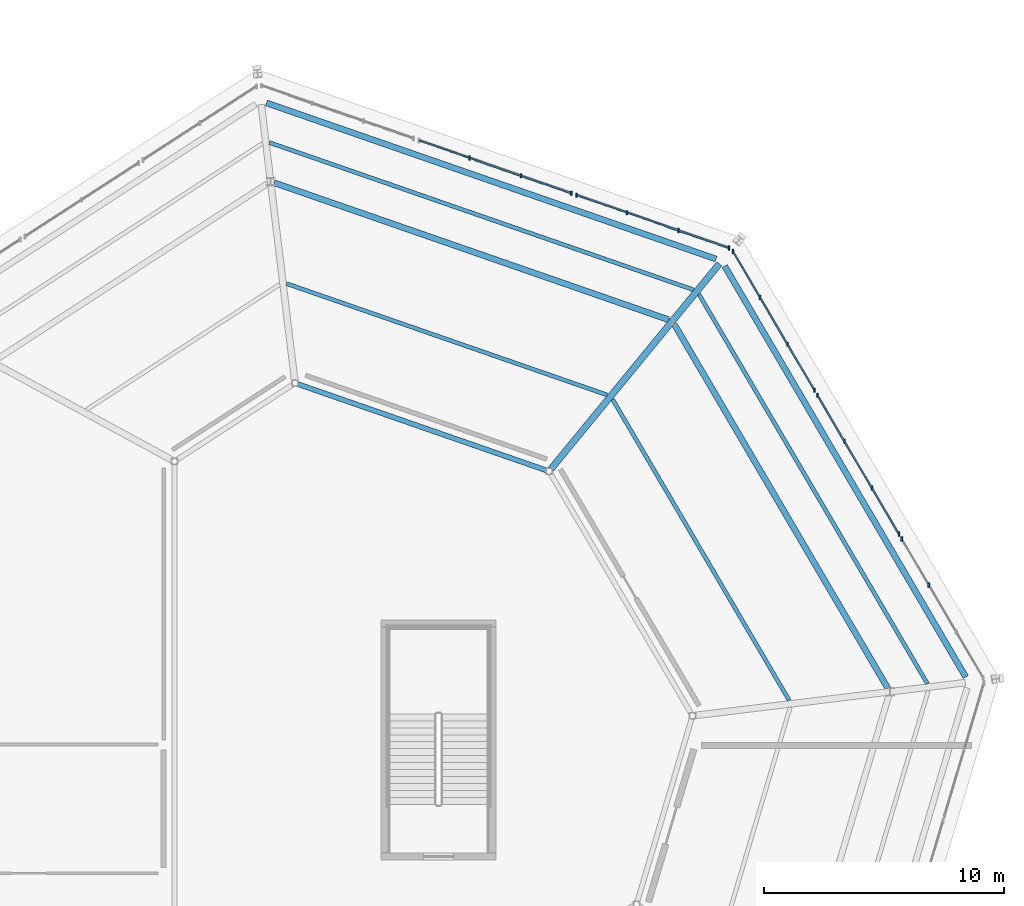
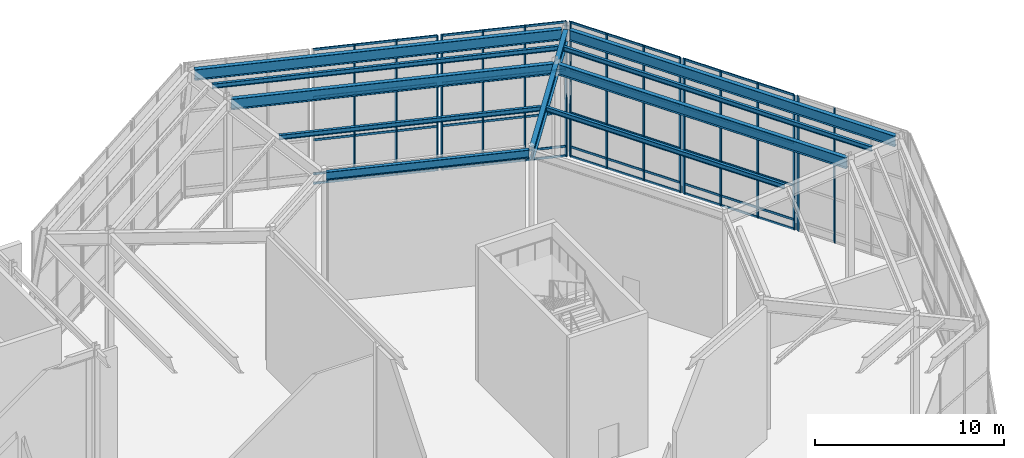
# One storey, part 24 of 48: 37 members, 10 beams, 5 elements without a shape of their own.
"""IFC4 building model written with IfcOpenShell, lengths in metres."""

from ifc_helpers import new_model, si_unit, direction, frame, origin, origin_2d, place, context, subcontext, project, spatial, rectangle, i_section, extrude, material, material_profile, profile_set, type_object, element, aggregate, save


model = new_model("IFC4")

# Units and contexts
model_context = context("Model", 3, precision=1e-05, world=origin(), true_north=direction((0.0, 1.0)))
body_context = subcontext(model_context, "Body", "Model", "MODEL_VIEW")
ifc_project = project(units=[si_unit("LENGTHUNIT", "METRE"), si_unit("AREAUNIT", "SQUARE_METRE"), si_unit("VOLUMEUNIT", "CUBIC_METRE"), si_unit("PLANEANGLEUNIT", "RADIAN"), si_unit("MASSUNIT", "GRAM", prefix="KILO")], contexts=[model_context])

# Site, building, storey
site_placement = place(None, origin())
site = spatial("IfcSite", under=ifc_project, at=site_placement, CompositionType="ELEMENT")
building_placement = place(site_placement, origin())
building = spatial("IfcBuilding", under=site, at=building_placement, Name="Sarnbrook Museum", CompositionType="ELEMENT")
storey_placement = place(building_placement, frame((0.0, 0.0, 19.10009765625)))
storey = spatial("IfcBuildingStorey", under=building, at=storey_placement, Name="L04", CompositionType="ELEMENT", Elevation=19.10009765625)

# Beams
ifc_material_1 = material(Name="Structural Steel Grade 300PLUS (AS/NZS 3679.1, fy = 280 MPa for 17 < t <= 40 mm, 300 MPa for t <= 17 mm)", Category="steel")
ifc_material_profile_1 = material_profile(ifc_material_1, i_section(OverallWidth=0.208984375, OverallDepth=0.532958984375, WebThickness=0.01025390625, FlangeThickness=0.015625, FilletRadius=0.013916015625, at=origin_2d()), Name="530UB92.4")
ifc_profile_set_1 = profile_set([ifc_material_profile_1], Name="Structural Steel Grade 300PLUS (AS/NZS 3679.1, fy = 280 MPa for 17 < t <= 40 mm, 300 MPa for t <= 17 mm)")
beam_type_1 = type_object("IfcBeamType", Name="BM-UB530", PredefinedType="BEAM", material=ifc_profile_set_1)
beam_1_placement = place(storey_placement, frame((148.292236328125, 96.435302734375, 8.473388671875), z_axis=(-0.944674814318, 0.328008376711, 0.0), x_axis=(-0.328008376711, -0.944674814318, 0.0)))
element("IfcBeam", 1, at=beam_1_placement, inside=storey, type_object=beam_type_1, Name="Crystal Hall R2 Ring Girder 5 L04", PredefinedType="BEAM", context=body_context, shape_type="SweptSolid", body=[
    extrude(i_section(OverallWidth=0.208984375, OverallDepth=0.532958984375, WebThickness=0.01025390625, FlangeThickness=0.015625, FilletRadius=0.013916015625, at=origin_2d()), origin(), (0.0, 0.0, 1.0), 10.962890625),
])
ifc_material_2 = material(Name="Structural Steel Grade 350L0 (AS/NZS 3678, fy = 340 MPa for 20 < t <= 40 mm)", Category="steel")
ifc_material_profile_2 = material_profile(ifc_material_2, i_section(OverallWidth=0.25, OverallDepth=0.699951171875, WebThickness=0.010009765625, FlangeThickness=0.01611328125, at=origin_2d()), Name="700WB130")
ifc_profile_set_2 = profile_set([ifc_material_profile_2], Name="Structural Steel Grade 350L0 (AS/NZS 3678, fy = 340 MPa for 20 < t <= 40 mm)")
beam_type_2 = type_object("IfcBeamType", Name="BM-WB700", PredefinedType="BEAM", material=ifc_profile_set_2)
beam_2_placement = place(storey_placement, frame((165.767822265625, 87.82568359375, 8.389892578125), z_axis=(-0.506057560474, 0.862499707529, 0.0), x_axis=(-0.862499707529, -0.506057560474, 0.0)))
element("IfcBeam", 2, at=beam_2_placement, inside=storey, type_object=beam_type_2, Name="Crystal Hall Perimeter Ring Girder 4 L04", PredefinedType="BEAM", context=body_context, shape_type="SweptSolid", body=[
    extrude(i_section(OverallWidth=0.25, OverallDepth=0.699951171875, WebThickness=0.010009765625, FlangeThickness=0.01611328125, at=origin_2d()), origin(), (0.0, 0.0, 1.0), 19.847412109375),
])
beam_3_placement = place(storey_placement, frame((162.52587890625, 87.348388671875, 8.389892578125), z_axis=(-0.506057154474, 0.862499945743, 0.0), x_axis=(-0.862499945743, -0.506057154474, 0.0)))
element("IfcBeam", 3, at=beam_3_placement, inside=storey, type_object=beam_type_2, Name="Crystal Hall R1 Ring Girder 4 L04", PredefinedType="BEAM", context=body_context, shape_type="SweptSolid", body=[
    extrude(i_section(OverallWidth=0.25, OverallDepth=0.699951171875, WebThickness=0.010009765625, FlangeThickness=0.01611328125, at=origin_2d()), origin(), (0.0, 0.0, 1.0), 17.589111328125),
])
beam_4_placement = place(storey_placement, frame((155.361083984375, 105.24169921875, 8.389892578125), z_axis=(-0.944675254199, 0.328007109837, 0.0), x_axis=(-0.328007109837, -0.944675254199, 0.0)))
element("IfcBeam", 4, at=beam_4_placement, inside=storey, type_object=beam_type_2, Name="Crystal Hall Perimeter Ring Girder 5 L04", PredefinedType="BEAM", context=body_context, shape_type="SweptSolid", body=[
    extrude(i_section(OverallWidth=0.25, OverallDepth=0.699951171875, WebThickness=0.010009765625, FlangeThickness=0.01611328125, at=origin_2d()), origin(), (0.0, 0.0, 1.0), 19.824951171875),
])
beam_5_placement = place(storey_placement, frame((153.392578125, 102.70947265625, 8.389892578125), z_axis=(-0.944672698081, 0.328014471479, 0.0), x_axis=(-0.328014471479, -0.944672698081, 0.0)))
element("IfcBeam", 5, at=beam_5_placement, inside=storey, type_object=beam_type_2, Name="Crystal Hall R1 Ring Girder 5 L04", PredefinedType="BEAM", context=body_context, shape_type="SweptSolid", body=[
    extrude(i_section(OverallWidth=0.25, OverallDepth=0.699951171875, WebThickness=0.010009765625, FlangeThickness=0.01611328125, at=origin_2d()), origin(), (0.0, 0.0, 1.0), 17.400146484375),
])
ifc_material_profile_3 = material_profile(ifc_material_2, i_section(OverallWidth=0.27490234375, OverallDepth=0.800048828125, WebThickness=0.010009765625, FlangeThickness=0.01611328125, at=origin_2d()), Name="800WB146")
ifc_profile_set_3 = profile_set([ifc_material_profile_3], Name="Structural Steel Grade 350L0 (AS/NZS 3678, fy = 340 MPa for 20 < t <= 40 mm)")
beam_type_3 = type_object("IfcBeamType", Name="CR-CANT", PredefinedType="BEAM", material=ifc_profile_set_3)
beam_6_placement = place(storey_placement, frame((148.481689453125, 96.48876953125, 8.33984375), z_axis=(0.634374756264, 0.773025658445, 0.0), x_axis=(-0.773025658445, 0.634374756264, 0.0)))
element("IfcBeam", 6, at=beam_6_placement, inside=storey, type_object=beam_type_3, Name="Crystal Hall Radial Cantilever Girder 5 L04", PredefinedType="BEAM", context=body_context, shape_type="SweptSolid", body=[
    extrude(i_section(OverallWidth=0.27490234375, OverallDepth=0.800048828125, WebThickness=0.010009765625, FlangeThickness=0.01611328125, at=origin_2d()), origin(), (0.0, 0.0, 1.0), 11.06689453125),
])

# Curtain wall, members
ifc_material_3 = material(Name="Thermally Broken Anodised Aluminium 6063-T6", Category="aluminium")
curtain_wall_type = type_object("IfcCurtainWallType", Name="CurtainWall_CrystalFacet", PredefinedType="NOTDEFINED", material=ifc_material_3)
curtain_wall_1_placement = place(storey_placement, origin())
curtain_wall_1 = element("IfcCurtainWall", 7, at=curtain_wall_1_placement, inside=storey, type_object=curtain_wall_type, Name="Crystal Hall Facet Curtain Wall L04-F4.1", PredefinedType="NOTDEFINED")
ifc_material_profile_4 = material_profile(ifc_material_3, rectangle(XDim=0.06494140625, YDim=0.179931640625, at=origin_2d()), Name="ALU MULLION 65x180")
ifc_profile_set_4 = profile_set([ifc_material_profile_4], Name="Thermally Broken Anodised Aluminium 6063-T6")
member_type_1 = type_object("IfcMemberType", Name="CW_Mullion_180x75", PredefinedType="MULLION", material=ifc_profile_set_4)
member_1_placement = place(storey_placement, frame((164.224365234375, 91.6611328125, 0.0), z_axis=(0.0, 0.0, 1.0), x_axis=(1.0, 0.0, 0.0)))
member_1 = element("IfcMember", 8, at=member_1_placement, type_object=member_type_1, Name="Crystal Hall Facet Curtain Wall L04-F4.1 Mullion 3", PredefinedType="MULLION", context=body_context, shape_type="SweptSolid", body=[
    extrude(rectangle(XDim=0.06494140625, YDim=0.179931640625, at=origin_2d()), origin(), (0.0, 0.0, 1.0), 8.739990234375),
])
member_2_placement = place(storey_placement, frame((163.099853515625, 93.577392578125, 0.0), z_axis=(0.0, 0.0, 1.0), x_axis=(1.0, 0.0, 0.0)))
member_2 = element("IfcMember", 9, at=member_2_placement, type_object=member_type_1, Name="Crystal Hall Facet Curtain Wall L04-F4.1 Mullion 4", PredefinedType="MULLION", context=body_context, shape_type="SweptSolid", body=[
    extrude(rectangle(XDim=0.06494140625, YDim=0.179931640625, at=origin_2d()), origin(), (0.0, 0.0, 1.0), 8.739990234375),
])
aggregate(curtain_wall_1, [member_1, member_2])

curtain_wall_2_placement = place(storey_placement, origin())
curtain_wall_2 = element("IfcCurtainWall", 10, at=curtain_wall_2_placement, inside=storey, type_object=curtain_wall_type, Name="Crystal Hall Facet Curtain Wall L04-F4.2", PredefinedType="NOTDEFINED")
member_3_placement = place(storey_placement, frame((162.978515625, 93.784423828125, 0.0), z_axis=(0.0, 0.0, 1.0), x_axis=(1.0, 0.0, 0.0)))
member_3 = element("IfcMember", 11, at=member_3_placement, type_object=member_type_1, Name="Crystal Hall Facet Curtain Wall L04-F4.2 Mullion 1", PredefinedType="MULLION", context=body_context, shape_type="SweptSolid", body=[
    extrude(rectangle(XDim=0.06494140625, YDim=0.179931640625, at=origin_2d()), origin(), (0.0, 0.0, 1.0), 8.739990234375),
])
member_4_placement = place(storey_placement, frame((161.85400390625, 95.70068359375, 0.0), z_axis=(0.0, 0.0, 1.0), x_axis=(1.0, 0.0, 0.0)))
member_4 = element("IfcMember", 12, at=member_4_placement, type_object=member_type_1, Name="Crystal Hall Facet Curtain Wall L04-F4.2 Mullion 2", PredefinedType="MULLION", context=body_context, shape_type="SweptSolid", body=[
    extrude(rectangle(XDim=0.06494140625, YDim=0.179931640625, at=origin_2d()), origin(), (0.0, 0.0, 1.0), 8.739990234375),
])
member_5_placement = place(storey_placement, frame((160.70947265625, 97.651611328125, 0.0), z_axis=(0.0, 0.0, 1.0), x_axis=(1.0, 0.0, 0.0)))
member_5 = element("IfcMember", 13, at=member_5_placement, type_object=member_type_1, Name="Crystal Hall Facet Curtain Wall L04-F4.2 Mullion 3", PredefinedType="MULLION", context=body_context, shape_type="SweptSolid", body=[
    extrude(rectangle(XDim=0.06494140625, YDim=0.179931640625, at=origin_2d()), origin(), (0.0, 0.0, 1.0), 8.739990234375),
])
member_6_placement = place(storey_placement, frame((159.585205078125, 99.56787109375, 0.0), z_axis=(0.0, 0.0, 1.0), x_axis=(1.0, 0.0, 0.0)))
member_6 = element("IfcMember", 14, at=member_6_placement, type_object=member_type_1, Name="Crystal Hall Facet Curtain Wall L04-F4.2 Mullion 4", PredefinedType="MULLION", context=body_context, shape_type="SweptSolid", body=[
    extrude(rectangle(XDim=0.06494140625, YDim=0.179931640625, at=origin_2d()), origin(), (0.0, 0.0, 1.0), 8.739990234375),
])

curtain_wall_3_placement = place(storey_placement, origin())
curtain_wall_3 = element("IfcCurtainWall", 15, at=curtain_wall_3_placement, inside=storey, type_object=curtain_wall_type, Name="Crystal Hall Facet Curtain Wall L04-F4.3", PredefinedType="NOTDEFINED")
member_7_placement = place(storey_placement, frame((159.463623046875, 99.77490234375, 0.0), z_axis=(0.0, 0.0, 1.0), x_axis=(1.0, 0.0, 0.0)))
member_7 = element("IfcMember", 16, at=member_7_placement, type_object=member_type_1, Name="Crystal Hall Facet Curtain Wall L04-F4.3 Mullion 1", PredefinedType="MULLION", context=body_context, shape_type="SweptSolid", body=[
    extrude(rectangle(XDim=0.06494140625, YDim=0.179931640625, at=origin_2d()), origin(), (0.0, 0.0, 1.0), 8.739990234375),
])
member_8_placement = place(storey_placement, frame((158.339111328125, 101.691162109375, 0.0), z_axis=(0.0, 0.0, 1.0), x_axis=(1.0, 0.0, 0.0)))
member_8 = element("IfcMember", 17, at=member_8_placement, type_object=member_type_1, Name="Crystal Hall Facet Curtain Wall L04-F4.3 Mullion 2", PredefinedType="MULLION", context=body_context, shape_type="SweptSolid", body=[
    extrude(rectangle(XDim=0.06494140625, YDim=0.179931640625, at=origin_2d()), origin(), (0.0, 0.0, 1.0), 8.739990234375),
])
member_9_placement = place(storey_placement, frame((157.194580078125, 103.64208984375, 0.0), z_axis=(0.0, 0.0, 1.0), x_axis=(1.0, 0.0, 0.0)))
member_9 = element("IfcMember", 18, at=member_9_placement, type_object=member_type_1, Name="Crystal Hall Facet Curtain Wall L04-F4.3 Mullion 3", PredefinedType="MULLION", context=body_context, shape_type="SweptSolid", body=[
    extrude(rectangle(XDim=0.06494140625, YDim=0.179931640625, at=origin_2d()), origin(), (0.0, 0.0, 1.0), 8.739990234375),
])
member_10_placement = place(storey_placement, frame((156.0703125, 105.558349609375, 0.0), z_axis=(0.0, 0.0, 1.0), x_axis=(1.0, 0.0, 0.0)))
member_10 = element("IfcMember", 19, at=member_10_placement, type_object=member_type_1, Name="Crystal Hall Facet Curtain Wall L04-F4.3 Mullion 4", PredefinedType="MULLION", context=body_context, shape_type="SweptSolid", body=[
    extrude(rectangle(XDim=0.06494140625, YDim=0.179931640625, at=origin_2d()), origin(), (0.0, 0.0, 1.0), 8.739990234375),
])

curtain_wall_4_placement = place(storey_placement, origin())
curtain_wall_4 = element("IfcCurtainWall", 20, at=curtain_wall_4_placement, inside=storey, type_object=curtain_wall_type, Name="Crystal Hall Facet Curtain Wall L04-F5.1", PredefinedType="NOTDEFINED")
member_11_placement = place(storey_placement, frame((155.89599609375, 105.701416015625, 0.0), z_axis=(0.0, 0.0, 1.0), x_axis=(1.0, 0.0, 0.0)))
member_11 = element("IfcMember", 21, at=member_11_placement, type_object=member_type_1, Name="Crystal Hall Facet Curtain Wall L04-F5.1 Mullion 1", PredefinedType="MULLION", context=body_context, shape_type="SweptSolid", body=[
    extrude(rectangle(XDim=0.06494140625, YDim=0.179931640625, at=origin_2d()), origin(), (0.0, 0.0, 1.0), 8.739990234375),
])
member_12_placement = place(storey_placement, frame((153.796142578125, 106.430419921875, 0.0), z_axis=(0.0, 0.0, 1.0), x_axis=(1.0, 0.0, 0.0)))
member_12 = element("IfcMember", 22, at=member_12_placement, type_object=member_type_1, Name="Crystal Hall Facet Curtain Wall L04-F5.1 Mullion 2", PredefinedType="MULLION", context=body_context, shape_type="SweptSolid", body=[
    extrude(rectangle(XDim=0.06494140625, YDim=0.179931640625, at=origin_2d()), origin(), (0.0, 0.0, 1.0), 8.739990234375),
])
member_13_placement = place(storey_placement, frame((151.658203125, 107.1728515625, 0.0), z_axis=(0.0, 0.0, 1.0), x_axis=(1.0, 0.0, 0.0)))
member_13 = element("IfcMember", 23, at=member_13_placement, type_object=member_type_1, Name="Crystal Hall Facet Curtain Wall L04-F5.1 Mullion 3", PredefinedType="MULLION", context=body_context, shape_type="SweptSolid", body=[
    extrude(rectangle(XDim=0.06494140625, YDim=0.179931640625, at=origin_2d()), origin(), (0.0, 0.0, 1.0), 8.739990234375),
])
member_14_placement = place(storey_placement, frame((149.55810546875, 107.902099609375, 0.0), z_axis=(0.0, 0.0, 1.0), x_axis=(1.0, 0.0, 0.0)))
member_14 = element("IfcMember", 24, at=member_14_placement, type_object=member_type_1, Name="Crystal Hall Facet Curtain Wall L04-F5.1 Mullion 4", PredefinedType="MULLION", context=body_context, shape_type="SweptSolid", body=[
    extrude(rectangle(XDim=0.06494140625, YDim=0.179931640625, at=origin_2d()), origin(), (0.0, 0.0, 1.0), 8.739990234375),
])

curtain_wall_5_placement = place(storey_placement, origin())
curtain_wall_5 = element("IfcCurtainWall", 25, at=curtain_wall_5_placement, inside=storey, type_object=curtain_wall_type, Name="Crystal Hall Facet Curtain Wall L04-F5.2", PredefinedType="NOTDEFINED")
member_15_placement = place(storey_placement, frame((149.331298828125, 107.980712890625, 0.0), z_axis=(0.0, 0.0, 1.0), x_axis=(1.0, 0.0, 0.0)))
member_15 = element("IfcMember", 26, at=member_15_placement, type_object=member_type_1, Name="Crystal Hall Facet Curtain Wall L04-F5.2 Mullion 1", PredefinedType="MULLION", context=body_context, shape_type="SweptSolid", body=[
    extrude(rectangle(XDim=0.06494140625, YDim=0.179931640625, at=origin_2d()), origin(), (0.0, 0.0, 1.0), 8.739990234375),
])
member_16_placement = place(storey_placement, frame((147.231201171875, 108.7099609375, 0.0), z_axis=(0.0, 0.0, 1.0), x_axis=(1.0, 0.0, 0.0)))
member_16 = element("IfcMember", 27, at=member_16_placement, type_object=member_type_1, Name="Crystal Hall Facet Curtain Wall L04-F5.2 Mullion 2", PredefinedType="MULLION", context=body_context, shape_type="SweptSolid", body=[
    extrude(rectangle(XDim=0.06494140625, YDim=0.179931640625, at=origin_2d()), origin(), (0.0, 0.0, 1.0), 8.739990234375),
])
member_17_placement = place(storey_placement, frame((145.093505859375, 109.4521484375, 0.0), z_axis=(0.0, 0.0, 1.0), x_axis=(1.0, 0.0, 0.0)))
member_17 = element("IfcMember", 28, at=member_17_placement, type_object=member_type_1, Name="Crystal Hall Facet Curtain Wall L04-F5.2 Mullion 3", PredefinedType="MULLION", context=body_context, shape_type="SweptSolid", body=[
    extrude(rectangle(XDim=0.06494140625, YDim=0.179931640625, at=origin_2d()), origin(), (0.0, 0.0, 1.0), 8.739990234375),
])

# Member
ifc_material_profile_5 = material_profile(ifc_material_3, rectangle(XDim=0.06494140625, YDim=0.139892578125, at=origin_2d()), Name="ALU TRANSOM 65x140")
ifc_profile_set_5 = profile_set([ifc_material_profile_5], Name="Thermally Broken Anodised Aluminium 6063-T6")
member_type_2 = type_object("IfcMemberType", Name="CW_Transom_150x65", PredefinedType="USERDEFINED", material=ifc_profile_set_5)
member_18_placement = place(storey_placement, frame((162.973388671875, 93.79296875, 0.039794921875), z_axis=(-0.5060559046, 0.862500679084, 0.0), x_axis=(-0.862500679084, -0.5060559046, 0.0)))
member_18 = element("IfcMember", 29, at=member_18_placement, type_object=member_type_2, Name="Crystal Hall Facet Curtain Wall L04-F4.2 Transom 1", ObjectType="TRANSOM", PredefinedType="USERDEFINED", context=body_context, shape_type="SweptSolid", body=[
    extrude(rectangle(XDim=0.06494140625, YDim=0.139892578125, at=origin_2d()), origin(), (0.0, 0.0, 1.0), 6.685546875),
])

member_19_placement = place(storey_placement, frame((162.973388671875, 93.79296875, 0.64990234375), z_axis=(-0.5060559046, 0.862500679084, 0.0), x_axis=(-0.862500679084, -0.5060559046, 0.0)))
member_19 = element("IfcMember", 30, at=member_19_placement, type_object=member_type_2, Name="Crystal Hall Facet Curtain Wall L04-F4.2 Transom 2", ObjectType="TRANSOM", PredefinedType="USERDEFINED", context=body_context, shape_type="SweptSolid", body=[
    extrude(rectangle(XDim=0.06494140625, YDim=0.139892578125, at=origin_2d()), origin(), (0.0, 0.0, 1.0), 6.685546875),
])

member_20_placement = place(storey_placement, frame((162.973388671875, 93.79296875, 2.849853515625), z_axis=(-0.5060559046, 0.862500679084, 0.0), x_axis=(-0.862500679084, -0.5060559046, 0.0)))
member_20 = element("IfcMember", 31, at=member_20_placement, type_object=member_type_2, Name="Crystal Hall Facet Curtain Wall L04-F4.2 Transom 3", ObjectType="TRANSOM", PredefinedType="USERDEFINED", context=body_context, shape_type="SweptSolid", body=[
    extrude(rectangle(XDim=0.06494140625, YDim=0.139892578125, at=origin_2d()), origin(), (0.0, 0.0, 1.0), 6.685546875),
])

member_21_placement = place(storey_placement, frame((162.973388671875, 93.79296875, 5.599853515625), z_axis=(-0.5060559046, 0.862500679084, 0.0), x_axis=(-0.862500679084, -0.5060559046, 0.0)))
member_21 = element("IfcMember", 32, at=member_21_placement, type_object=member_type_2, Name="Crystal Hall Facet Curtain Wall L04-F4.2 Transom 4", ObjectType="TRANSOM", PredefinedType="USERDEFINED", context=body_context, shape_type="SweptSolid", body=[
    extrude(rectangle(XDim=0.06494140625, YDim=0.139892578125, at=origin_2d()), origin(), (0.0, 0.0, 1.0), 6.685546875),
])

member_22_placement = place(storey_placement, frame((162.973388671875, 93.79296875, 8.699951171875), z_axis=(-0.5060559046, 0.862500679084, 0.0), x_axis=(-0.862500679084, -0.5060559046, 0.0)))
member_22 = element("IfcMember", 33, at=member_22_placement, type_object=member_type_2, Name="Crystal Hall Facet Curtain Wall L04-F4.2 Transom 5", ObjectType="TRANSOM", PredefinedType="USERDEFINED", context=body_context, shape_type="SweptSolid", body=[
    extrude(rectangle(XDim=0.06494140625, YDim=0.139892578125, at=origin_2d()), origin(), (0.0, 0.0, 1.0), 6.685546875),
])

aggregate(curtain_wall_2, [member_3, member_4, member_5, member_6, member_18, member_19, member_20, member_21, member_22])

member_23_placement = place(storey_placement, frame((159.45849609375, 99.783447265625, 0.039794921875), z_axis=(-0.5060559046, 0.862500679084, 0.0), x_axis=(-0.862500679084, -0.5060559046, 0.0)))
member_23 = element("IfcMember", 34, at=member_23_placement, type_object=member_type_2, Name="Crystal Hall Facet Curtain Wall L04-F4.3 Transom 1", ObjectType="TRANSOM", PredefinedType="USERDEFINED", context=body_context, shape_type="SweptSolid", body=[
    extrude(rectangle(XDim=0.06494140625, YDim=0.139892578125, at=origin_2d()), origin(), (0.0, 0.0, 1.0), 6.685546875),
])

member_24_placement = place(storey_placement, frame((159.45849609375, 99.783447265625, 0.64990234375), z_axis=(-0.5060559046, 0.862500679084, 0.0), x_axis=(-0.862500679084, -0.5060559046, 0.0)))
member_24 = element("IfcMember", 35, at=member_24_placement, type_object=member_type_2, Name="Crystal Hall Facet Curtain Wall L04-F4.3 Transom 2", ObjectType="TRANSOM", PredefinedType="USERDEFINED", context=body_context, shape_type="SweptSolid", body=[
    extrude(rectangle(XDim=0.06494140625, YDim=0.139892578125, at=origin_2d()), origin(), (0.0, 0.0, 1.0), 6.685546875),
])

member_25_placement = place(storey_placement, frame((159.45849609375, 99.783447265625, 2.849853515625), z_axis=(-0.5060559046, 0.862500679084, 0.0), x_axis=(-0.862500679084, -0.5060559046, 0.0)))
member_25 = element("IfcMember", 36, at=member_25_placement, type_object=member_type_2, Name="Crystal Hall Facet Curtain Wall L04-F4.3 Transom 3", ObjectType="TRANSOM", PredefinedType="USERDEFINED", context=body_context, shape_type="SweptSolid", body=[
    extrude(rectangle(XDim=0.06494140625, YDim=0.139892578125, at=origin_2d()), origin(), (0.0, 0.0, 1.0), 6.685546875),
])

member_26_placement = place(storey_placement, frame((159.45849609375, 99.783447265625, 5.599853515625), z_axis=(-0.5060559046, 0.862500679084, 0.0), x_axis=(-0.862500679084, -0.5060559046, 0.0)))
member_26 = element("IfcMember", 37, at=member_26_placement, type_object=member_type_2, Name="Crystal Hall Facet Curtain Wall L04-F4.3 Transom 4", ObjectType="TRANSOM", PredefinedType="USERDEFINED", context=body_context, shape_type="SweptSolid", body=[
    extrude(rectangle(XDim=0.06494140625, YDim=0.139892578125, at=origin_2d()), origin(), (0.0, 0.0, 1.0), 6.685546875),
])

member_27_placement = place(storey_placement, frame((159.45849609375, 99.783447265625, 8.699951171875), z_axis=(-0.5060559046, 0.862500679084, 0.0), x_axis=(-0.862500679084, -0.5060559046, 0.0)))
member_27 = element("IfcMember", 38, at=member_27_placement, type_object=member_type_2, Name="Crystal Hall Facet Curtain Wall L04-F4.3 Transom 5", ObjectType="TRANSOM", PredefinedType="USERDEFINED", context=body_context, shape_type="SweptSolid", body=[
    extrude(rectangle(XDim=0.06494140625, YDim=0.139892578125, at=origin_2d()), origin(), (0.0, 0.0, 1.0), 6.685546875),
])

aggregate(curtain_wall_3, [member_7, member_8, member_9, member_10, member_23, member_24, member_25, member_26, member_27])

member_28_placement = place(storey_placement, frame((155.88671875, 105.70458984375, 0.039794921875), z_axis=(-0.944675392045, 0.328006712835, 0.0), x_axis=(-0.328006712835, -0.944675392045, 0.0)))
member_28 = element("IfcMember", 39, at=member_28_placement, type_object=member_type_2, Name="Crystal Hall Facet Curtain Wall L04-F5.1 Transom 1", ObjectType="TRANSOM", PredefinedType="USERDEFINED", context=body_context, shape_type="SweptSolid", body=[
    extrude(rectangle(XDim=0.06494140625, YDim=0.139892578125, at=origin_2d()), origin(), (0.0, 0.0, 1.0), 6.689208984375),
])

member_29_placement = place(storey_placement, frame((155.88671875, 105.70458984375, 0.64990234375), z_axis=(-0.944675392045, 0.328006712835, 0.0), x_axis=(-0.328006712835, -0.944675392045, 0.0)))
member_29 = element("IfcMember", 40, at=member_29_placement, type_object=member_type_2, Name="Crystal Hall Facet Curtain Wall L04-F5.1 Transom 2", ObjectType="TRANSOM", PredefinedType="USERDEFINED", context=body_context, shape_type="SweptSolid", body=[
    extrude(rectangle(XDim=0.06494140625, YDim=0.139892578125, at=origin_2d()), origin(), (0.0, 0.0, 1.0), 6.689208984375),
])

member_30_placement = place(storey_placement, frame((155.88671875, 105.70458984375, 2.849853515625), z_axis=(-0.944675392045, 0.328006712835, 0.0), x_axis=(-0.328006712835, -0.944675392045, 0.0)))
member_30 = element("IfcMember", 41, at=member_30_placement, type_object=member_type_2, Name="Crystal Hall Facet Curtain Wall L04-F5.1 Transom 3", ObjectType="TRANSOM", PredefinedType="USERDEFINED", context=body_context, shape_type="SweptSolid", body=[
    extrude(rectangle(XDim=0.06494140625, YDim=0.139892578125, at=origin_2d()), origin(), (0.0, 0.0, 1.0), 6.689208984375),
])

member_31_placement = place(storey_placement, frame((155.88671875, 105.70458984375, 5.599853515625), z_axis=(-0.944675392045, 0.328006712835, 0.0), x_axis=(-0.328006712835, -0.944675392045, 0.0)))
member_31 = element("IfcMember", 42, at=member_31_placement, type_object=member_type_2, Name="Crystal Hall Facet Curtain Wall L04-F5.1 Transom 4", ObjectType="TRANSOM", PredefinedType="USERDEFINED", context=body_context, shape_type="SweptSolid", body=[
    extrude(rectangle(XDim=0.06494140625, YDim=0.139892578125, at=origin_2d()), origin(), (0.0, 0.0, 1.0), 6.689208984375),
])

member_32_placement = place(storey_placement, frame((155.88671875, 105.70458984375, 8.699951171875), z_axis=(-0.944675392045, 0.328006712835, 0.0), x_axis=(-0.328006712835, -0.944675392045, 0.0)))
member_32 = element("IfcMember", 43, at=member_32_placement, type_object=member_type_2, Name="Crystal Hall Facet Curtain Wall L04-F5.1 Transom 5", ObjectType="TRANSOM", PredefinedType="USERDEFINED", context=body_context, shape_type="SweptSolid", body=[
    extrude(rectangle(XDim=0.06494140625, YDim=0.139892578125, at=origin_2d()), origin(), (0.0, 0.0, 1.0), 6.689208984375),
])

aggregate(curtain_wall_4, [member_11, member_12, member_13, member_14, member_28, member_29, member_30, member_31, member_32])

member_33_placement = place(storey_placement, frame((149.322021484375, 107.98388671875, 0.039794921875), z_axis=(-0.944679318594, 0.327995403964, 0.0), x_axis=(-0.327995403964, -0.944679318594, 0.0)))
member_33 = element("IfcMember", 44, at=member_33_placement, type_object=member_type_2, Name="Crystal Hall Facet Curtain Wall L04-F5.2 Transom 1", ObjectType="TRANSOM", PredefinedType="USERDEFINED", context=body_context, shape_type="SweptSolid", body=[
    extrude(rectangle(XDim=0.06494140625, YDim=0.139892578125, at=origin_2d()), origin(), (0.0, 0.0, 1.0), 6.689453125),
])

member_34_placement = place(storey_placement, frame((149.322021484375, 107.98388671875, 0.64990234375), z_axis=(-0.944679318594, 0.327995403964, 0.0), x_axis=(-0.327995403964, -0.944679318594, 0.0)))
member_34 = element("IfcMember", 45, at=member_34_placement, type_object=member_type_2, Name="Crystal Hall Facet Curtain Wall L04-F5.2 Transom 2", ObjectType="TRANSOM", PredefinedType="USERDEFINED", context=body_context, shape_type="SweptSolid", body=[
    extrude(rectangle(XDim=0.06494140625, YDim=0.139892578125, at=origin_2d()), origin(), (0.0, 0.0, 1.0), 6.689453125),
])

member_35_placement = place(storey_placement, frame((149.322021484375, 107.98388671875, 2.849853515625), z_axis=(-0.944679318594, 0.327995403964, 0.0), x_axis=(-0.327995403964, -0.944679318594, 0.0)))
member_35 = element("IfcMember", 46, at=member_35_placement, type_object=member_type_2, Name="Crystal Hall Facet Curtain Wall L04-F5.2 Transom 3", ObjectType="TRANSOM", PredefinedType="USERDEFINED", context=body_context, shape_type="SweptSolid", body=[
    extrude(rectangle(XDim=0.06494140625, YDim=0.139892578125, at=origin_2d()), origin(), (0.0, 0.0, 1.0), 6.689453125),
])

member_36_placement = place(storey_placement, frame((149.322021484375, 107.98388671875, 5.599853515625), z_axis=(-0.944679318594, 0.327995403964, 0.0), x_axis=(-0.327995403964, -0.944679318594, 0.0)))
member_36 = element("IfcMember", 47, at=member_36_placement, type_object=member_type_2, Name="Crystal Hall Facet Curtain Wall L04-F5.2 Transom 4", ObjectType="TRANSOM", PredefinedType="USERDEFINED", context=body_context, shape_type="SweptSolid", body=[
    extrude(rectangle(XDim=0.06494140625, YDim=0.139892578125, at=origin_2d()), origin(), (0.0, 0.0, 1.0), 6.689453125),
])

member_37_placement = place(storey_placement, frame((149.322021484375, 107.98388671875, 8.699951171875), z_axis=(-0.944679318594, 0.327995403964, 0.0), x_axis=(-0.327995403964, -0.944679318594, 0.0)))
member_37 = element("IfcMember", 48, at=member_37_placement, type_object=member_type_2, Name="Crystal Hall Facet Curtain Wall L04-F5.2 Transom 5", ObjectType="TRANSOM", PredefinedType="USERDEFINED", context=body_context, shape_type="SweptSolid", body=[
    extrude(rectangle(XDim=0.06494140625, YDim=0.139892578125, at=origin_2d()), origin(), (0.0, 0.0, 1.0), 6.689453125),
])

aggregate(curtain_wall_5, [member_15, member_16, member_17, member_33, member_34, member_35, member_36, member_37])

# Beams
ifc_material_profile_6 = material_profile(ifc_material_1, i_section(OverallWidth=0.1650390625, OverallDepth=0.303955078125, WebThickness=0.006103515625, FlangeThickness=0.01025390625, FilletRadius=0.011474609375, at=origin_2d()), Name="310UB40.4")
ifc_profile_set_6 = profile_set([ifc_material_profile_6], Name="Structural Steel Grade 300PLUS (AS/NZS 3679.1, fy = 280 MPa for 17 < t <= 40 mm, 300 MPa for t <= 17 mm)")
beam_type_4 = type_object("IfcBeamType", Name="JS-UB310", PredefinedType="JOIST", material=ifc_profile_set_6)
beam_7_placement = place(storey_placement, frame((164.169677734375, 87.54833984375, 8.587890625), z_axis=(-0.506056585718, 0.86250027945, 0.0), x_axis=(-0.86250027945, -0.506056585718, 0.0)))
element("IfcBeam", 49, at=beam_7_placement, inside=storey, type_object=beam_type_4, Name="Crystal Hall Tangential Joist MO-4 L04", PredefinedType="JOIST", context=body_context, shape_type="SweptSolid", body=[
    extrude(i_section(OverallWidth=0.1650390625, OverallDepth=0.303955078125, WebThickness=0.006103515625, FlangeThickness=0.01025390625, FilletRadius=0.011474609375, at=origin_2d()), origin(), (0.0, 0.0, 1.0), 18.808349609375),
])
beam_8_placement = place(storey_placement, frame((158.413330078125, 86.848388671875, 8.587890625), z_axis=(-0.50605775092, 0.862499595788, 0.0), x_axis=(-0.862499595788, -0.50605775092, 0.0)))
element("IfcBeam", 50, at=beam_8_placement, inside=storey, type_object=beam_type_4, Name="Crystal Hall Tangential Joist MI-4 L04", PredefinedType="JOIST", context=body_context, shape_type="SweptSolid", body=[
    extrude(i_section(OverallWidth=0.1650390625, OverallDepth=0.303955078125, WebThickness=0.006103515625, FlangeThickness=0.01025390625, FilletRadius=0.011474609375, at=origin_2d()), origin(), (0.0, 0.0, 1.0), 14.5390625),
])
beam_9_placement = place(storey_placement, frame((154.41943359375, 103.960693359375, 8.587890625), z_axis=(-0.944671360847, 0.328018322652, 0.0), x_axis=(-0.328018322652, -0.944671360847, 0.0)))
element("IfcBeam", 51, at=beam_9_placement, inside=storey, type_object=beam_type_4, Name="Crystal Hall Tangential Joist MO-5 L04", PredefinedType="JOIST", context=body_context, shape_type="SweptSolid", body=[
    extrude(i_section(OverallWidth=0.1650390625, OverallDepth=0.303955078125, WebThickness=0.006103515625, FlangeThickness=0.01025390625, FilletRadius=0.011474609375, at=origin_2d()), origin(), (0.0, 0.0, 1.0), 18.702392578125),
])
beam_10_placement = place(storey_placement, frame((150.823486328125, 99.5791015625, 8.587890625), z_axis=(-0.944677156242, 0.328001631818, 0.0), x_axis=(-0.328001631818, -0.944677156242, 0.0)))
element("IfcBeam", 52, at=beam_10_placement, inside=storey, type_object=beam_type_4, Name="Crystal Hall Tangential Joist MI-5 L04", PredefinedType="JOIST", context=body_context, shape_type="SweptSolid", body=[
    extrude(i_section(OverallWidth=0.1650390625, OverallDepth=0.303955078125, WebThickness=0.006103515625, FlangeThickness=0.01025390625, FilletRadius=0.011474609375, at=origin_2d()), origin(), (0.0, 0.0, 1.0), 14.141357421875),
])

save(model, "model.ifc")
